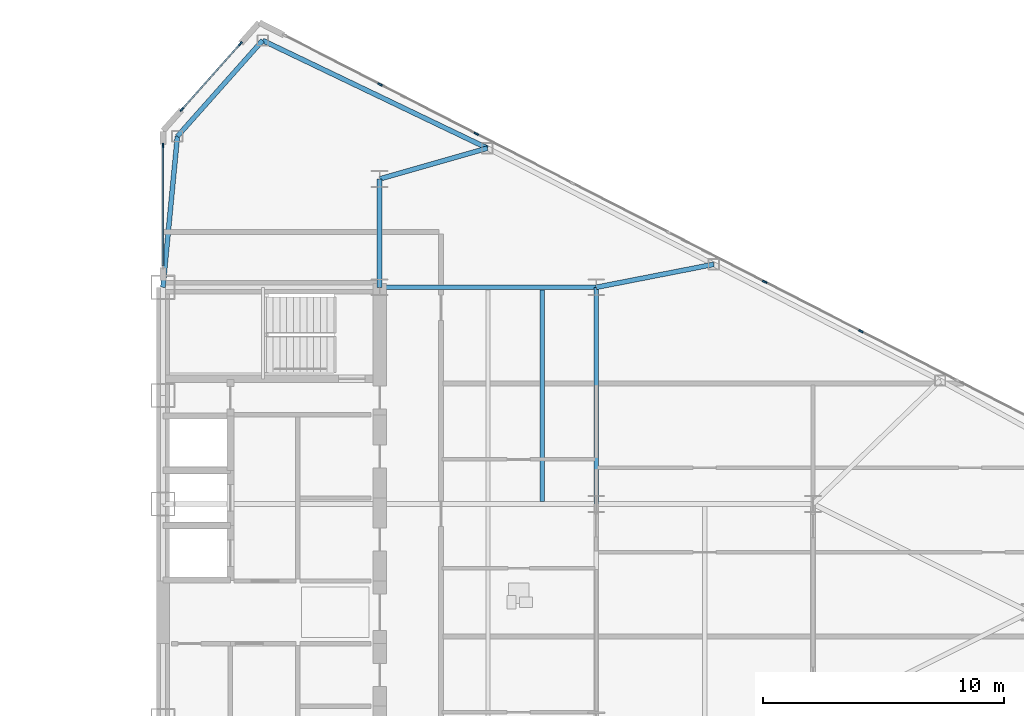
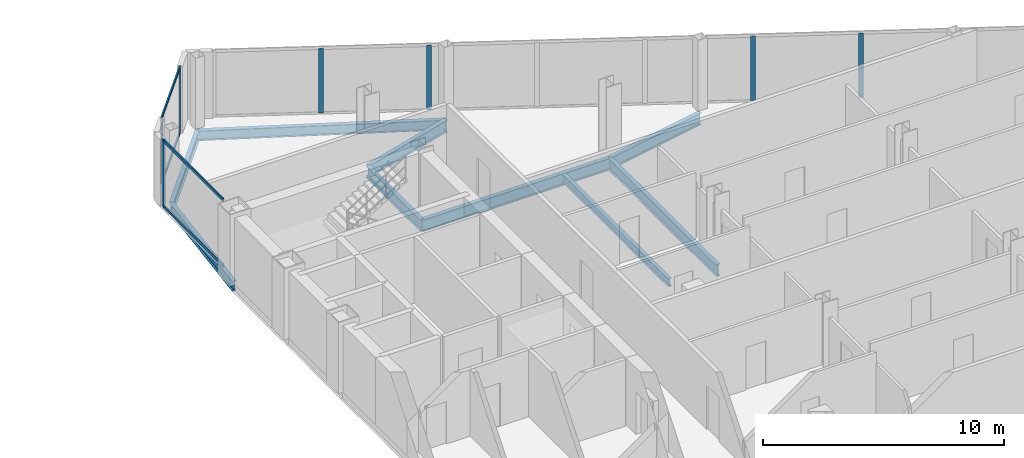
# One storey, part 11 of 23: 11 members, 9 beams, 3 elements without a shape of their own.
"""IFC4 building model written with IfcOpenShell, lengths in metres."""

from ifc_helpers import new_model, si_unit, direction, frame, origin, origin_2d, place, context, subcontext, project, spatial, rectangle, i_section, extrude, source, transform, mapped, material, layer, layer_set, material_profile, profile_set, type_object, type_shapes, element, aggregate, save


model = new_model("IFC4")

# Units and contexts
model_context = context("Model", 3, precision=1e-05, world=origin(), true_north=direction((0.0, 1.0)))
body_context = subcontext(model_context, "Body", "Model", "MODEL_VIEW")
ifc_project = project(units=[si_unit("LENGTHUNIT", "METRE"), si_unit("AREAUNIT", "SQUARE_METRE"), si_unit("VOLUMEUNIT", "CUBIC_METRE"), si_unit("PLANEANGLEUNIT", "RADIAN"), si_unit("MASSUNIT", "GRAM", prefix="KILO")], contexts=[model_context])

# Site, building, storey
site_placement = place(None, origin())
site = spatial("IfcSite", under=ifc_project, at=site_placement, CompositionType="ELEMENT")
building_placement = place(site_placement, origin())
building = spatial("IfcBuilding", under=site, at=building_placement, Name="Seokmaru Belvedere", CompositionType="ELEMENT")
storey_placement = place(building_placement, frame((0.0, 0.0, 147.60009765625)))
storey = spatial("IfcBuildingStorey", under=building, at=storey_placement, Name="L39", CompositionType="ELEMENT", Elevation=147.60009765625)

# Beams
ifc_material_1 = material(Name="Steel SM355 (355 MPa)", Category="steel")
ifc_material_profile_1 = material_profile(ifc_material_1, i_section(OverallWidth=0.199951171875, OverallDepth=0.60009765625, WebThickness=0.010986328125, FlangeThickness=0.01708984375, at=origin_2d()), Name="H-600x200x11x17")
ifc_profile_set_1 = profile_set([ifc_material_profile_1], Name="Steel SM355 (355 MPa)")
beam_type_1 = type_object("IfcBeamType", Name="Primary Floor Girder H-600", PredefinedType="BEAM", material=ifc_profile_set_1)
shared_shape_1 = source(origin(), body_context, "Body", "SweptSolid", [
    extrude(i_section(OverallWidth=0.199951171875, OverallDepth=0.60009765625, WebThickness=0.010986328125, FlangeThickness=0.01708984375, at=origin_2d()), origin(), (0.0, 0.0, 1.0), 9.0),
])
for number, where, z_axis, x_axis, name in (
    (1, (45.5, 4.5, -0.52001953125), (0.0, 1.0, 0.0), (-1.0, 0.0, 0.0), "L39 E Interior Grid Girder 3"),
    (2, (36.5, 13.5, -0.52001953125), (1.0, 0.0, 0.0), (0.0, 1.0, 0.0), "L39 E Wing Primary Girder 4"),
):
    element("IfcBeam", number, at=place(storey_placement, frame(where, z_axis=z_axis, x_axis=x_axis)), inside=storey, type_object=beam_type_1, Name=name, PredefinedType="BEAM", context=body_context, shape_type="MappedRepresentation", body=[
        mapped(shared_shape_1, transform((0.0, 0.0, 0.0), scale=1.0)),
    ])
ifc_material_profile_2 = material_profile(ifc_material_1, i_section(OverallWidth=0.18505859375, OverallDepth=0.389892578125, WebThickness=0.008056640625, FlangeThickness=0.011962890625, at=origin_2d()), Name="H-390x185x8x12")
ifc_profile_set_2 = profile_set([ifc_material_profile_2], Name="Steel SM355 (355 MPa)")
beam_type_2 = type_object("IfcBeamType", Name="Secondary Floor Joist H-350", PredefinedType="JOIST", material=ifc_profile_set_2)
shared_shape_2 = source(origin(), body_context, "Body", "SweptSolid", [
    extrude(i_section(OverallWidth=0.18505859375, OverallDepth=0.389892578125, WebThickness=0.008056640625, FlangeThickness=0.011962890625, at=origin_2d()), origin(), (0.0, 0.0, 1.0), 8.7900390625),
])
type_shapes(beam_type_2, [shared_shape_2])
beam_1_placement = place(storey_placement, frame((43.25, 4.60498046875, -0.4150390625), z_axis=(0.0, 1.0, 0.0), x_axis=(-1.0, 0.0, 0.0)))
element("IfcBeam", 3, at=beam_1_placement, inside=storey, type_object=beam_type_2, Name="L39 E Wing Inner Secondary Joist 2", PredefinedType="JOIST", context=body_context, shape_type="MappedRepresentation", body=[
    mapped(shared_shape_2, transform((0.0, 0.0, 0.0), scale=1.0)),
])
shared_shape_3 = source(origin(), body_context, "Body", "SweptSolid", [
    extrude(i_section(OverallWidth=0.199951171875, OverallDepth=0.60009765625, WebThickness=0.010986328125, FlangeThickness=0.01708984375, at=origin_2d()), origin(), (0.0, 0.0, 1.0), 4.5),
])
beam_2_placement = place(storey_placement, frame((36.5, 13.5, -0.52001953125), z_axis=(0.0, 1.0, 0.0), x_axis=(-1.0, 0.0, 0.0)))
element("IfcBeam", 4, at=beam_2_placement, inside=storey, type_object=beam_type_1, Name="L39 E Core Shoulder Girder N", PredefinedType="BEAM", context=body_context, shape_type="MappedRepresentation", body=[
    mapped(shared_shape_3, transform((0.0, 0.0, 0.0), scale=1.0)),
])
ifc_material_profile_3 = material_profile(ifc_material_1, i_section(OverallWidth=0.199951171875, OverallDepth=0.5, WebThickness=0.010009765625, FlangeThickness=0.01611328125, at=origin_2d()), Name="H-500x200x10x16")
ifc_profile_set_3 = profile_set([ifc_material_profile_3], Name="Steel SM355 (355 MPa)")
beam_type_3 = type_object("IfcBeamType", Name="Perimeter Spandrel Beam H-500", PredefinedType="SPANDREL", material=ifc_profile_set_3)
shared_shape_4 = source(origin(), body_context, "Body", "SweptSolid", [
    extrude(i_section(OverallWidth=0.199951171875, OverallDepth=0.5, WebThickness=0.010009765625, FlangeThickness=0.01611328125, at=origin_2d()), origin(), (0.0, 0.0, 1.0), 10.353759765625),
])
beam_3_placement = place(storey_placement, frame((31.6396484375, 23.75390625, -0.47021484375), z_axis=(0.901713202822, -0.432334708134, 0.0), x_axis=(0.432334708134, 0.901713202822, 0.0)))
element("IfcBeam", 5, at=beam_3_placement, inside=storey, type_object=beam_type_3, Name="L39 E Faceted Flank Spandrel N-1", PredefinedType="SPANDREL", context=body_context, shape_type="MappedRepresentation", body=[
    mapped(shared_shape_4, transform((0.0, 0.0, 0.0), scale=1.0)),
])
shared_shape_5 = source(origin(), body_context, "Body", "SweptSolid", [
    extrude(i_section(OverallWidth=0.199951171875, OverallDepth=0.5, WebThickness=0.010009765625, FlangeThickness=0.01611328125, at=origin_2d()), origin(), (0.0, 0.0, 1.0), 5.32763671875),
])
beam_4_placement = place(storey_placement, frame((31.6396484375, 23.75390625, -0.47021484375), z_axis=(-0.66436952742, -0.74740426212, 0.0), x_axis=(0.74740426212, -0.66436952742, 0.0)))
element("IfcBeam", 6, at=beam_4_placement, inside=storey, type_object=beam_type_3, Name="L39 E Shoulder Chamfer Spandrel N", PredefinedType="SPANDREL", context=body_context, shape_type="MappedRepresentation", body=[
    mapped(shared_shape_5, transform((0.0, 0.0, 0.0), scale=1.0)),
])
shared_shape_6 = source(origin(), body_context, "Body", "SweptSolid", [
    extrude(i_section(OverallWidth=0.199951171875, OverallDepth=0.5, WebThickness=0.010009765625, FlangeThickness=0.01611328125, at=origin_2d()), origin(), (0.0, 0.0, 1.0), 6.300537109375),
])
type_shapes(beam_type_3, [shared_shape_4, shared_shape_5, shared_shape_6])
beam_5_placement = place(storey_placement, frame((28.10009765625, 19.77197265625, -0.47021484375), z_axis=(-0.095244287992, -0.995453929424, 0.0), x_axis=(0.995453929424, -0.095244287992, 0.0)))
element("IfcBeam", 7, at=beam_5_placement, inside=storey, type_object=beam_type_3, Name="L39 E Shoulder Spine Spandrel N", PredefinedType="SPANDREL", context=body_context, shape_type="MappedRepresentation", body=[
    mapped(shared_shape_6, transform((0.0, 0.0, 0.0), scale=1.0)),
])
shared_shape_7 = source(origin(), body_context, "Body", "SweptSolid", [
    extrude(i_section(OverallWidth=0.199951171875, OverallDepth=0.60009765625, WebThickness=0.010986328125, FlangeThickness=0.01708984375, at=origin_2d()), origin(), (0.0, 0.0, 1.0), 4.654541015625),
])
beam_6_placement = place(storey_placement, frame((40.975830078125, 19.277587890625, -0.52001953125), z_axis=(-0.961593192625, -0.274478654721, 0.0), x_axis=(0.274478654721, -0.961593192625, 0.0)))
element("IfcBeam", 8, at=beam_6_placement, inside=storey, type_object=beam_type_1, Name="L39 E Flank Radial Floor Girder N-1", PredefinedType="BEAM", context=body_context, shape_type="MappedRepresentation", body=[
    mapped(shared_shape_7, transform((0.0, 0.0, 0.0), scale=1.0)),
])
shared_shape_8 = source(origin(), body_context, "Body", "SweptSolid", [
    extrude(i_section(OverallWidth=0.199951171875, OverallDepth=0.60009765625, WebThickness=0.010986328125, FlangeThickness=0.01708984375, at=origin_2d()), origin(), (0.0, 0.0, 1.0), 4.969482421875),
])
type_shapes(beam_type_1, [shared_shape_1, shared_shape_3, shared_shape_7, shared_shape_8])
beam_7_placement = place(storey_placement, frame((50.377197265625, 14.453369140625, -0.52001953125), z_axis=(-0.98142544456, -0.19184393858, 0.0), x_axis=(0.19184393858, -0.98142544456, 0.0)))
element("IfcBeam", 9, at=beam_7_placement, inside=storey, type_object=beam_type_1, Name="L39 E Flank Radial Floor Girder N-2", PredefinedType="BEAM", context=body_context, shape_type="MappedRepresentation", body=[
    mapped(shared_shape_8, transform((0.0, 0.0, 0.0), scale=1.0)),
])

# Curtain wall, members
ifc_material_2 = material(Name="Bronze Triple Insulating Glass", Category="glass")
ifc_layer = layer(ifc_material_2, 0.195068359375)
ifc_layer_set = layer_set([ifc_layer], Name="Bronze Triple Insulating Glass")
curtain_wall_type = type_object("IfcCurtainWallType", Name="Sky-Lobby and Mid-Rise Curtain Wall System CW-4", PredefinedType="NOTDEFINED", material=ifc_layer_set)
curtain_wall_1_placement = place(storey_placement, origin())
curtain_wall_1 = element("IfcCurtainWall", 10, at=curtain_wall_1_placement, inside=storey, type_object=curtain_wall_type, Name="L39 Curtain Wall EF4", PredefinedType="NOTDEFINED")
ifc_material_3 = material(Name="Anodised Bronze Aluminium", Category="aluminium")
ifc_material_profile_4 = material_profile(ifc_material_3, rectangle(XDim=0.070068359375, YDim=0.195068359375, at=origin_2d()), Name="CW-M-70x195")
ifc_profile_set_4 = profile_set([ifc_material_profile_4], Name="Anodised Bronze Aluminium")
member_type_1 = type_object("IfcMemberType", Name="Bronze Unitised Mullion 70x195", PredefinedType="MULLION", material=ifc_profile_set_4)
shared_shape_9 = source(origin(), body_context, "Body", "SweptSolid", [
    extrude(rectangle(XDim=0.070068359375, YDim=0.195068359375, at=origin_2d()), origin(), (0.0, 0.0, 1.0), 3.3798828125),
])
member_1_placement = place(storey_placement, frame((30.712646484375, 23.6142578125, 0.0), z_axis=(0.0, 0.0, 1.0), x_axis=(0.747409774804, -0.664363325694, 0.0)))
member_1 = element("IfcMember", 11, at=member_1_placement, type_object=member_type_1, Name="CW:L39:EF4 Mullion 1", PredefinedType="MULLION", context=body_context, shape_type="MappedRepresentation", body=[
    mapped(shared_shape_9, transform((0.0, 0.0, 0.0), scale=1.0)),
])
member_2_placement = place(storey_placement, frame((28.287353515625, 20.8857421875, 0.0), z_axis=(0.0, 0.0, 1.0), x_axis=(0.747409774804, -0.664363325694, 0.0)))
member_2 = element("IfcMember", 12, at=member_2_placement, type_object=member_type_1, Name="CW:L39:EF4 Mullion 2", PredefinedType="MULLION", context=body_context, shape_type="MappedRepresentation", body=[
    mapped(shared_shape_9, transform((0.0, 0.0, 0.0), scale=1.0)),
])

# Curtain wall, member
curtain_wall_2_placement = place(storey_placement, origin())
curtain_wall_2 = element("IfcCurtainWall", 13, at=curtain_wall_2_placement, inside=storey, type_object=curtain_wall_type, Name="L39 Curtain Wall ESP_2", PredefinedType="NOTDEFINED")
member_3_placement = place(storey_placement, frame((27.5, 19.39501953125, 0.0), z_axis=(0.0, 0.0, 1.0), x_axis=(1.0, 0.0, 0.0)))
member_3 = element("IfcMember", 14, at=member_3_placement, type_object=member_type_1, Name="CW:L39:ESP_2 Mullion 1", PredefinedType="MULLION", context=body_context, shape_type="MappedRepresentation", body=[
    mapped(shared_shape_9, transform((0.0, 0.0, 0.0), scale=1.0)),
])

# Member
ifc_material_profile_5 = material_profile(ifc_material_3, rectangle(XDim=0.06494140625, YDim=0.14990234375, at=origin_2d()), Name="CW-T-65x150")
ifc_profile_set_5 = profile_set([ifc_material_profile_5], Name="Anodised Bronze Aluminium")
member_type_2 = type_object("IfcMemberType", Name="Bronze Unitised Transom 65x150", PredefinedType="USERDEFINED", material=ifc_profile_set_5)
shared_shape_10 = source(origin(), body_context, "Body", "SweptSolid", [
    extrude(rectangle(XDim=0.06494140625, YDim=0.14990234375, at=origin_2d()), origin(), (0.0, 0.0, 1.0), 3.580810546875),
])
member_4_placement = place(storey_placement, frame((30.689453125, 23.588134765625, 0.032470703125), z_axis=(-0.66436383883, -0.747409318684, 0.0), x_axis=(0.747409318684, -0.66436383883, 0.0)))
member_4 = element("IfcMember", 15, at=member_4_placement, type_object=member_type_2, Name="CW:L39:EF4 Continuous Transom 1", ObjectType="TRANSOM", PredefinedType="USERDEFINED", context=body_context, shape_type="MappedRepresentation", body=[
    mapped(shared_shape_10, transform((0.0, 0.0, 0.0), scale=1.0)),
])

member_5_placement = place(storey_placement, frame((30.689453125, 23.588134765625, 3.347412109375), z_axis=(-0.66436383883, -0.747409318684, 0.0), x_axis=(0.747409318684, -0.66436383883, 0.0)))
member_5 = element("IfcMember", 16, at=member_5_placement, type_object=member_type_2, Name="CW:L39:EF4 Continuous Transom 2", ObjectType="TRANSOM", PredefinedType="USERDEFINED", context=body_context, shape_type="MappedRepresentation", body=[
    mapped(shared_shape_10, transform((0.0, 0.0, 0.0), scale=1.0)),
])

aggregate(curtain_wall_1, [member_1, member_2, member_4, member_5])

# Curtain wall, members
curtain_wall_3_placement = place(storey_placement, origin())
curtain_wall_3 = element("IfcCurtainWall", 17, at=curtain_wall_3_placement, inside=storey, type_object=curtain_wall_type, Name="L39 Curtain Wall EF3", PredefinedType="NOTDEFINED")
shared_shape_11 = source(origin(), body_context, "Body", "SweptSolid", [
    extrude(rectangle(XDim=0.070068359375, YDim=0.195068359375, at=origin_2d()), origin(), (0.0, 0.0, 1.0), 3.25),
])
type_shapes(member_type_1, [shared_shape_9, shared_shape_11])
member_6_placement = place(storey_placement, frame((56.4921875, 11.675048828125, 0.06494140625), z_axis=(0.0, 0.0, 1.0), x_axis=(-0.456554528263, -0.889695432562, 0.0)))
member_6 = element("IfcMember", 18, at=member_6_placement, type_object=member_type_1, Name="CW:L39:EF3 Mullion 4", PredefinedType="MULLION", context=body_context, shape_type="MappedRepresentation", body=[
    mapped(shared_shape_11, transform((0.0, 0.0, 0.0), scale=1.0)),
])
member_7_placement = place(storey_placement, frame((52.497314453125, 13.72509765625, 0.06494140625), z_axis=(0.0, 0.0, 1.0), x_axis=(-0.456554528263, -0.889695432562, 0.0)))
member_7 = element("IfcMember", 19, at=member_7_placement, type_object=member_type_1, Name="CW:L39:EF3 Mullion 5", PredefinedType="MULLION", context=body_context, shape_type="MappedRepresentation", body=[
    mapped(shared_shape_11, transform((0.0, 0.0, 0.0), scale=1.0)),
])
member_8_placement = place(storey_placement, frame((40.5126953125, 19.875, 0.06494140625), z_axis=(0.0, 0.0, 1.0), x_axis=(-0.456554528263, -0.889695432562, 0.0)))
member_8 = element("IfcMember", 20, at=member_8_placement, type_object=member_type_1, Name="CW:L39:EF3 Mullion 8", PredefinedType="MULLION", context=body_context, shape_type="MappedRepresentation", body=[
    mapped(shared_shape_11, transform((0.0, 0.0, 0.0), scale=1.0)),
])
member_9_placement = place(storey_placement, frame((36.51806640625, 21.925048828125, 0.06494140625), z_axis=(0.0, 0.0, 1.0), x_axis=(-0.456554528263, -0.889695432562, 0.0)))
member_9 = element("IfcMember", 21, at=member_9_placement, type_object=member_type_1, Name="CW:L39:EF3 Mullion 9", PredefinedType="MULLION", context=body_context, shape_type="MappedRepresentation", body=[
    mapped(shared_shape_11, transform((0.0, 0.0, 0.0), scale=1.0)),
])
aggregate(curtain_wall_3, [member_6, member_7, member_8, member_9])

# Member
shared_shape_12 = source(origin(), body_context, "Body", "SweptSolid", [
    extrude(rectangle(XDim=0.06494140625, YDim=0.14990234375, at=origin_2d()), origin(), (0.0, 0.0, 1.0), 4.960205078125),
])
type_shapes(member_type_2, [shared_shape_10, shared_shape_12])
member_10_placement = place(storey_placement, frame((27.5, 19.360107421875, 0.032470703125), z_axis=(0.0, -1.0, 0.0), x_axis=(1.0, 0.0, 0.0)))
member_10 = element("IfcMember", 22, at=member_10_placement, type_object=member_type_2, Name="CW:L39:ESP_2 Continuous Transom 1", ObjectType="TRANSOM", PredefinedType="USERDEFINED", context=body_context, shape_type="MappedRepresentation", body=[
    mapped(shared_shape_12, transform((0.0, 0.0, 0.0), scale=1.0)),
])

member_11_placement = place(storey_placement, frame((27.5, 19.360107421875, 3.347412109375), z_axis=(0.0, -1.0, 0.0), x_axis=(1.0, 0.0, 0.0)))
member_11 = element("IfcMember", 23, at=member_11_placement, type_object=member_type_2, Name="CW:L39:ESP_2 Continuous Transom 2", ObjectType="TRANSOM", PredefinedType="USERDEFINED", context=body_context, shape_type="MappedRepresentation", body=[
    mapped(shared_shape_12, transform((0.0, 0.0, 0.0), scale=1.0)),
])

aggregate(curtain_wall_2, [member_3, member_10, member_11])

save(model, "model.ifc")
